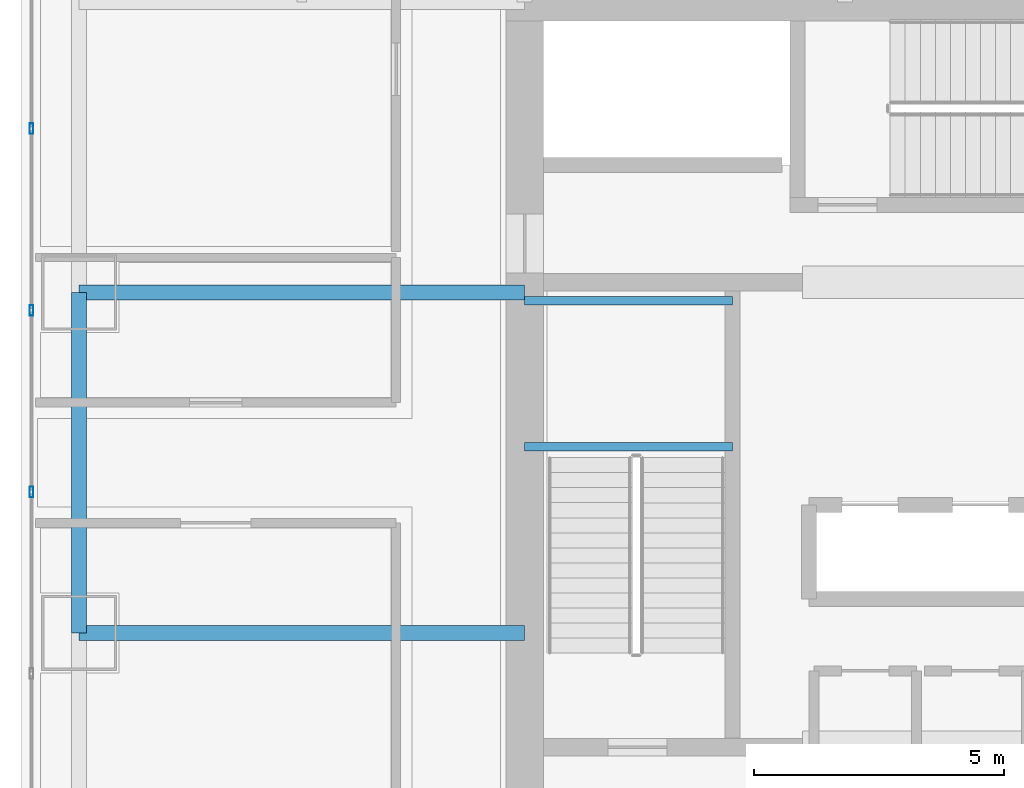
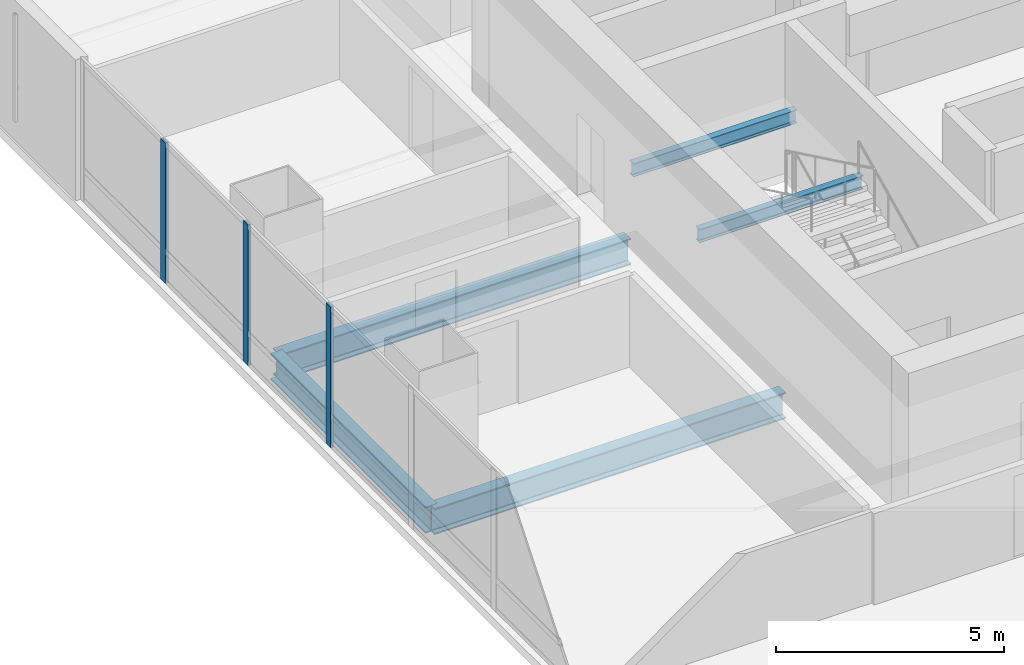
# One storey, part 10 of 42: 5 beams, 3 members, 1 element without a shape of its own.
"""IFC4 building model written with IfcOpenShell, lengths in metres."""

from ifc_helpers import new_model, si_unit, direction, frame, origin, origin_2d, place, context, subcontext, project, spatial, hollow_rectangle, i_section, extrude, material, material_profile, profile_set, type_object, element, aggregate, save


model = new_model("IFC4")

# Units and contexts
model_context = context("Model", 3, precision=1e-05, world=origin(), true_north=direction((0.0, 1.0)))
body_context = subcontext(model_context, "Body", "Model", "MODEL_VIEW")
ifc_project = project(units=[si_unit("LENGTHUNIT", "METRE"), si_unit("AREAUNIT", "SQUARE_METRE"), si_unit("VOLUMEUNIT", "CUBIC_METRE"), si_unit("PLANEANGLEUNIT", "RADIAN"), si_unit("MASSUNIT", "GRAM", prefix="KILO")], contexts=[model_context])

# Site, building, storey
site_placement = place(None, origin())
site = spatial("IfcSite", under=ifc_project, at=site_placement, CompositionType="ELEMENT")
building_placement = place(site_placement, origin())
building = spatial("IfcBuilding", under=site, at=building_placement, Name="Punatoya Terracotta Tower", CompositionType="ELEMENT")
storey_placement = place(building_placement, frame((0.0, 0.0, 88.949951171875)))
storey = spatial("IfcBuildingStorey", under=building, at=storey_placement, Name="L20", CompositionType="ELEMENT", Elevation=88.949951171875)

# Beams
ifc_material_1 = material(Name="Steel S355", Category="steel")
ifc_material_profile_1 = material_profile(ifc_material_1, i_section(OverallWidth=0.300048828125, OverallDepth=0.699951171875, WebThickness=0.01708984375, FlangeThickness=0.031982421875, FilletRadius=0.01806640625, at=origin_2d()))
ifc_profile_set_1 = profile_set([ifc_material_profile_1], Name="Steel S355")
beam_type_1 = type_object("IfcBeamType", Name="BM-PRI-700", PredefinedType="BEAM", material=ifc_profile_set_1)
beam_placement = place(storey_placement, frame((-19.10009765625, -3.39990234375, -0.58984375), z_axis=(0.0, 1.0, 0.0), x_axis=(-1.0, 0.0, 0.0)))
element("IfcBeam", 1, at=beam_placement, inside=storey, type_object=beam_type_1, Name="BM-L20-RG-W2", PredefinedType="BEAM", context=body_context, shape_type="SweptSolid", body=[
    extrude(i_section(OverallWidth=0.300048828125, OverallDepth=0.699951171875, WebThickness=0.01708984375, FlangeThickness=0.031982421875, FilletRadius=0.01806640625, at=origin_2d()), origin(), (0.0, 0.0, 1.0), 6.7998046875),
])
for number, where, z_axis, x_axis, name in (
    (2, (-19.10009765625, -3.39990234375, -0.58984375), (1.0, 0.0, 0.0), (0.0, 1.0, 0.0), "BM-L20-PR-WD"),
    (3, (-19.10009765625, 3.39990234375, -0.58984375), (1.0, 0.0, 0.0), (0.0, 1.0, 0.0), "BM-L20-PR-WE"),
):
    element("IfcBeam", number, at=place(storey_placement, frame(where, z_axis=z_axis, x_axis=x_axis)), inside=storey, type_object=beam_type_1, Name=name, PredefinedType="BEAM", context=body_context, shape_type="SweptSolid", body=[
        extrude(i_section(OverallWidth=0.300048828125, OverallDepth=0.699951171875, WebThickness=0.01708984375, FlangeThickness=0.031982421875, FilletRadius=0.01806640625, at=origin_2d()), origin(), (0.0, 0.0, 1.0), 8.900146484375),
    ])
ifc_material_profile_2 = material_profile(ifc_material_1, i_section(OverallWidth=0.169921875, OverallDepth=0.360107421875, WebThickness=0.008056640625, FlangeThickness=0.0126953125, FilletRadius=0.01806640625, at=origin_2d()))
ifc_profile_set_2 = profile_set([ifc_material_profile_2], Name="Steel S355")
beam_type_2 = type_object("IfcBeamType", Name="BM-SEC-360", PredefinedType="JOIST", material=ifc_profile_set_2)
for number, where, z_axis, x_axis, name in (
    (4, (-10.199951171875, 0.320068359375, 1.64501953125), (1.0, 0.0, 0.0), (0.0, 1.0, 0.0), "BM-L20-ST-1-LD1A"),
    (5, (-10.199951171875, 3.22998046875, 1.64501953125), (1.0, 0.0, 0.0), (0.0, 1.0, 0.0), "BM-L20-ST-1-LD1B"),
):
    element("IfcBeam", number, at=place(storey_placement, frame(where, z_axis=z_axis, x_axis=x_axis)), inside=storey, type_object=beam_type_2, Name=name, PredefinedType="JOIST", context=body_context, shape_type="SweptSolid", body=[
        extrude(i_section(OverallWidth=0.169921875, OverallDepth=0.360107421875, WebThickness=0.008056640625, FlangeThickness=0.0126953125, FilletRadius=0.01806640625, at=origin_2d()), origin(), (0.0, 0.0, 1.0), 4.14990234375),
    ])

# Curtain wall, members
ifc_material_2 = material(Name="Aluminium 6063-T6 + Double Low-E Glass", Category="aluminium")
curtain_wall_type = type_object("IfcCurtainWallType", Name="CW-M1", PredefinedType="NOTDEFINED", material=ifc_material_2)
curtain_wall_placement = place(storey_placement, origin())
curtain_wall = element("IfcCurtainWall", 6, at=curtain_wall_placement, inside=storey, type_object=curtain_wall_type, Name="L20 Curtain Wall CW-L20-W13-1", PredefinedType="NOTDEFINED")
ifc_material_3 = material(Name="Aluminium 6063-T6", Category="aluminium")
ifc_material_profile_3 = material_profile(ifc_material_3, hollow_rectangle(XDim=0.074951171875, YDim=0.2099609375, WallThickness=0.00439453125, at=origin_2d()))
ifc_profile_set_3 = profile_set([ifc_material_profile_3], Name="Aluminium 6063-T6")
member_type = type_object("IfcMemberType", Name="CW-MUL-M1", PredefinedType="MULLION", material=ifc_profile_set_3)
member_1_placement = place(storey_placement, frame((-20.050048828125, 6.67138671875, 0.0), z_axis=(0.0, 0.0, 1.0), x_axis=(1.0, 0.0, 0.0)))
member_1 = element("IfcMember", 7, at=member_1_placement, type_object=member_type, Name="CW-L20-W13-1 Mullion 01", PredefinedType="MULLION", context=body_context, shape_type="SweptSolid", body=[
    extrude(hollow_rectangle(XDim=0.074951171875, YDim=0.2099609375, WallThickness=0.00439453125, at=origin_2d()), origin(), (0.0, 0.0, 1.0), 3.77001953125),
])
member_2_placement = place(storey_placement, frame((-20.050048828125, 3.04296875, 0.0), z_axis=(0.0, 0.0, 1.0), x_axis=(1.0, 0.0, 0.0)))
member_2 = element("IfcMember", 8, at=member_2_placement, type_object=member_type, Name="CW-L20-W13-1 Mullion 02", PredefinedType="MULLION", context=body_context, shape_type="SweptSolid", body=[
    extrude(hollow_rectangle(XDim=0.074951171875, YDim=0.2099609375, WallThickness=0.00439453125, at=origin_2d()), origin(), (0.0, 0.0, 1.0), 3.77001953125),
])
member_3_placement = place(storey_placement, frame((-20.050048828125, -0.585693359375, 0.0), z_axis=(0.0, 0.0, 1.0), x_axis=(1.0, 0.0, 0.0)))
member_3 = element("IfcMember", 9, at=member_3_placement, type_object=member_type, Name="CW-L20-W13-1 Mullion 03", PredefinedType="MULLION", context=body_context, shape_type="SweptSolid", body=[
    extrude(hollow_rectangle(XDim=0.074951171875, YDim=0.2099609375, WallThickness=0.00439453125, at=origin_2d()), origin(), (0.0, 0.0, 1.0), 3.77001953125),
])
aggregate(curtain_wall, [member_1, member_2, member_3])

save(model, "model.ifc")
